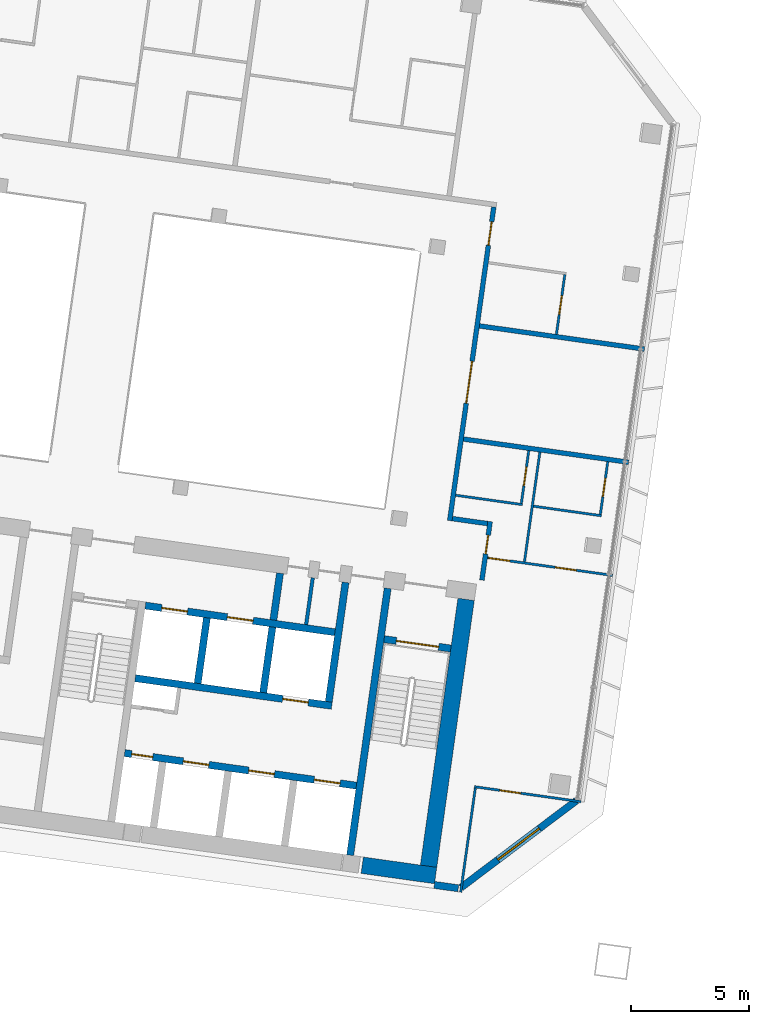
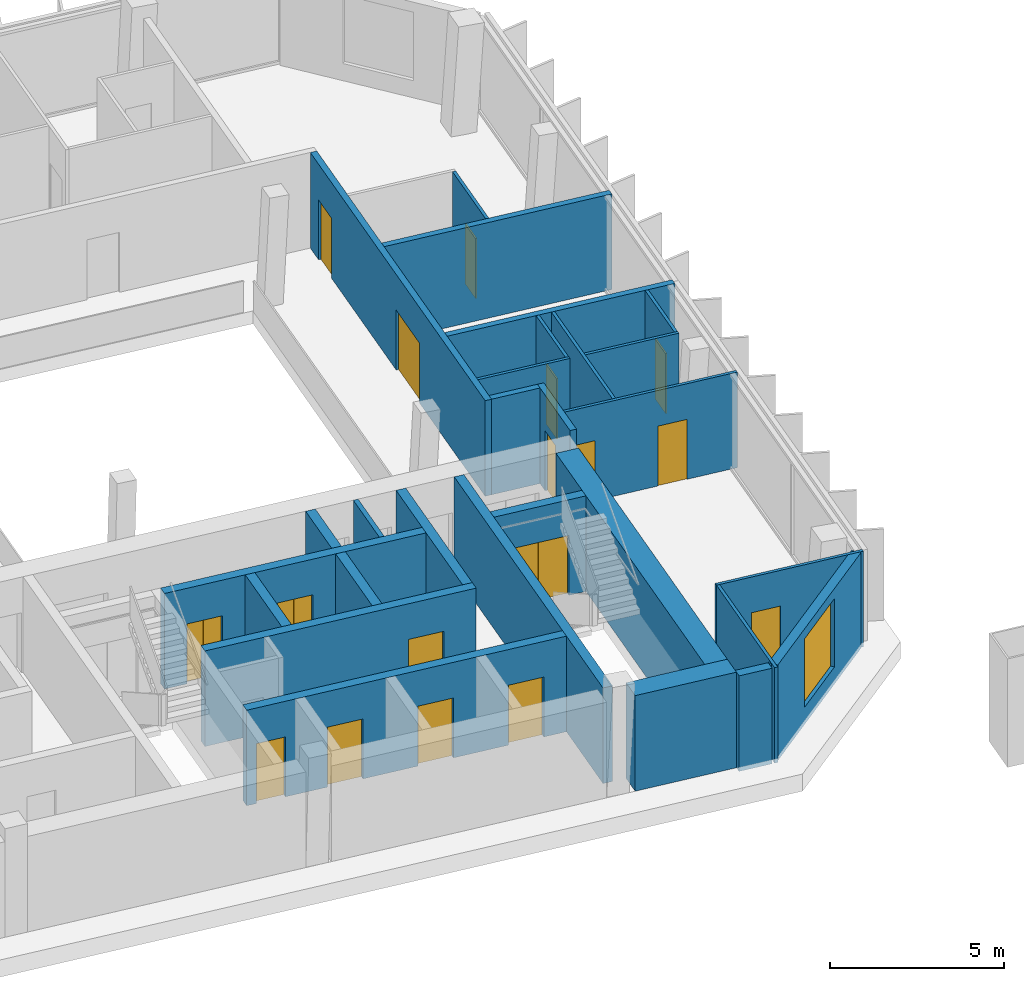
# One storey, part 14 of 23: 28 walls, 17 doors, 1 window, 18 openings.
"""IFC4 building model written with IfcOpenShell, lengths in metres."""

from ifc_helpers import new_model, si_unit, direction, frame, frame_2d, origin, place, context, subcontext, project, spatial, rectangle, extrude, material, layer, layer_set, type_object, element, fill, save


model = new_model("IFC4")

# Units and contexts
model_context = context("Model", 3, precision=1e-05, world=origin(), true_north=direction((0.0, 1.0)))
body_context = subcontext(model_context, "Body", "Model", "MODEL_VIEW")
ifc_project = project(units=[si_unit("LENGTHUNIT", "METRE"), si_unit("AREAUNIT", "SQUARE_METRE"), si_unit("VOLUMEUNIT", "CUBIC_METRE"), si_unit("PLANEANGLEUNIT", "RADIAN"), si_unit("MASSUNIT", "GRAM", prefix="KILO")], contexts=[model_context])

# Site, building, storey
site_placement = place(None, origin())
site = spatial("IfcSite", under=ifc_project, at=site_placement, CompositionType="ELEMENT")
building_placement = place(site_placement, origin())
building = spatial("IfcBuilding", under=site, at=building_placement, Name="Mirante Cascada Hotel Towers", CompositionType="ELEMENT")
storey_placement = place(building_placement, frame((0.0, 0.0, 180.2)))
storey = spatial("IfcBuildingStorey", under=building, at=storey_placement, Name="L42", CompositionType="ELEMENT", Elevation=180.2)

# Walls
ifc_material_1 = material(Name="Fire-rated plasterboard on metal studs")
ifc_layer_1 = layer(ifc_material_1, 0.2)
ifc_layer_set_1 = layer_set([ifc_layer_1], Name="Compartment wall 200 EI 120")
wall_type_1 = type_object("IfcWallType", Name="Compartment wall 200 EI 120", PredefinedType="PARTITIONING", material=ifc_layer_set_1)
wall_1_placement = place(storey_placement, frame((-35.0284, -4.7267, 0.0), z_axis=(0.0, 0.0, 1.0), x_axis=(-0.9902735, 0.1391343, 0.0)))
element("IfcWall", 1, at=wall_1_placement, inside=storey, type_object=wall_type_1, Name="Wall 1-L42-03", PredefinedType="PARTITIONING", context=body_context, shape_type="SweptSolid", body=[
    extrude(rectangle(XDim=1.5, YDim=0.2, at=frame_2d((0.75, 0.0))), origin(), (0.0, 0.0, 1.0), 3.35),
])
for number, where, z_axis, x_axis, name in (
    (2, (-36.0406, -1.151, 0.0), (0.0, 0.0, 1.0), (0.9902679, -0.1391744, 0.0), "Wall 1-L42-06"),
    (3, (-28.3886, 2.6543, 0.0), (0.0, 0.0, 1.0), (-0.9902679, 0.1391744, 0.0), "Wall 1-L42-07"),
):
    element("IfcWall", number, at=place(storey_placement, frame(where, z_axis=z_axis, x_axis=x_axis)), inside=storey, type_object=wall_type_1, Name=name, PredefinedType="PARTITIONING", context=body_context, shape_type="SweptSolid", body=[
        extrude(rectangle(XDim=7.048, YDim=0.2, at=frame_2d((3.524, 0.0))), origin(), (0.0, 0.0, 1.0), 3.35),
    ])

# Wall, opening, door
wall_2_placement = place(storey_placement, frame((-34.9155, -4.6416, 0.0), z_axis=(0.0, 0.0, 1.0), x_axis=(-0.1391586, -0.9902701, 0.0)))
wall_2 = element("IfcWall", 4, at=wall_2_placement, inside=storey, type_object=wall_type_1, Name="Wall 1-L42-26", PredefinedType="PARTITIONING", context=body_context, shape_type="SweptSolid", body=[
    extrude(rectangle(XDim=2.5, YDim=0.2, at=frame_2d((1.25, 0.0))), origin(), (0.0, 0.0, 1.0), 3.35),
])
opening_1_placement = place(wall_2_placement, frame((0.5833, 0.0, 0.0)))
opening_1 = element("IfcOpeningElement", 5, at=opening_1_placement, cuts=wall_2, Name="Opening D1-L42-21", PredefinedType="OPENING", context=body_context, shape_type="SweptSolid", body=[
    extrude(rectangle(XDim=0.8, YDim=2.1, at=frame_2d((0.4, 1.05))), frame((0.0, 0.1, 0.0), z_axis=(0.0, -1.0, 0.0), x_axis=(1.0, 0.0, 0.0)), (0.0, 0.0, 1.0), 0.2),
])
ifc_material_2 = material(Name="Fire-rated timber door leaf", Category="wood")
door_type_1 = type_object("IfcDoorType", Name="Bathroom door DG4 800x2100 EI 60", OperationType="SINGLE_SWING_LEFT", PredefinedType="DOOR", material=ifc_material_2)
door_1_placement = place(opening_1_placement, frame((0.8, 0.0, 0.0), z_axis=(0.0, 0.0, 1.0), x_axis=(-1.0, 0.0, 0.0)))
door_1 = element("IfcDoor", 6, at=door_1_placement, inside=storey, type_object=door_type_1, Name="Door D1-L42-21", OperationType="SINGLE_SWING_RIGHT", OverallHeight=2.1, OverallWidth=0.8, PredefinedType="DOOR", context=body_context, shape_type="SweptSolid", body=[
    extrude(rectangle(XDim=0.8, YDim=2.1, at=frame_2d((0.4, 1.05))), frame((0.0, 0.025, 0.0), z_axis=(0.0, -1.0, 0.0), x_axis=(1.0, 0.0, 0.0)), (0.0, 0.0, 1.0), 0.05),
])
fill(opening_1, door_1)

# Wall, openings, doors
wall_3_placement = place(storey_placement, frame((-36.6268, -4.6031, 0.0), z_axis=(0.0, 0.0, 1.0), x_axis=(0.1391789, 0.9902673, 0.0)))
wall_3 = element("IfcWall", 7, at=wall_3_placement, inside=storey, type_object=wall_type_1, Name="Wall 1-L42-27", PredefinedType="PARTITIONING", context=body_context, shape_type="SweptSolid", body=[
    extrude(rectangle(XDim=13.4, YDim=0.2, at=frame_2d((6.7, 0.0))), origin(), (0.0, 0.0, 1.0), 3.35),
])
opening_2_placement = place(wall_3_placement, frame((5.0167, 0.0, 0.0)))
opening_2 = element("IfcOpeningElement", 8, at=opening_2_placement, cuts=wall_3, Name="Opening D1-L42-22", PredefinedType="OPENING", context=body_context, shape_type="SweptSolid", body=[
    extrude(rectangle(XDim=1.8, YDim=2.1, at=frame_2d((0.9, 1.05))), frame((0.0, 0.1, 0.0), z_axis=(0.0, -1.0, 0.0), x_axis=(1.0, 0.0, 0.0)), (0.0, 0.0, 1.0), 0.2),
])
opening_3_placement = place(wall_3_placement, frame((11.7667, 0.0, 0.0)))
opening_3 = element("IfcOpeningElement", 9, at=opening_3_placement, cuts=wall_3, Name="Opening D1-L42-23", PredefinedType="OPENING", context=body_context, shape_type="SweptSolid", body=[
    extrude(rectangle(XDim=1.0, YDim=2.1, at=frame_2d((0.5, 1.05))), frame((0.0, 0.1, 0.0), z_axis=(0.0, -1.0, 0.0), x_axis=(1.0, 0.0, 0.0)), (0.0, 0.0, 1.0), 0.2),
])
ifc_material_3 = material(Name="Fire-rated timber door leaf", Category="wood")
door_type_2 = type_object("IfcDoorType", Name="Entrance door DG1 1000x2100 EI 60", OperationType="SINGLE_SWING_LEFT", PredefinedType="DOOR", material=ifc_material_3)
door_2_placement = place(opening_3_placement, frame((1.0, 0.0, 0.0), z_axis=(0.0, 0.0, 1.0), x_axis=(-1.0, 0.0, 0.0)))
door_2 = element("IfcDoor", 10, at=door_2_placement, inside=storey, type_object=door_type_2, Name="Door D1-L42-23", OperationType="SINGLE_SWING_RIGHT", OverallHeight=2.1, OverallWidth=1.0, PredefinedType="DOOR", context=body_context, shape_type="SweptSolid", body=[
    extrude(rectangle(XDim=1.0, YDim=2.1, at=frame_2d((0.5, 1.05))), frame((0.0, 0.025, 0.0), z_axis=(0.0, -1.0, 0.0), x_axis=(1.0, 0.0, 0.0)), (0.0, 0.0, 1.0), 0.05),
])
fill(opening_3, door_2)
ifc_material_4 = material(Name="Fire-rated timber door leaf", Category="wood")
door_type_3 = type_object("IfcDoorType", Name="Suite double door DG2 1800x2100 EI 60", OperationType="DOUBLE_DOOR_SINGLE_SWING", PredefinedType="DOOR", material=ifc_material_4)
door_3_placement = place(opening_2_placement, origin())
door_3 = element("IfcDoor", 11, at=door_3_placement, inside=storey, type_object=door_type_3, Name="Door D1-L42-22", OperationType="DOUBLE_DOOR_SINGLE_SWING", OverallHeight=2.1, OverallWidth=1.8, PredefinedType="DOOR", context=body_context, shape_type="SweptSolid", body=[
    extrude(rectangle(XDim=0.895, YDim=2.1, at=frame_2d((0.4475, 1.05))), frame((0.0, 0.025, 0.0), z_axis=(0.0, -1.0, 0.0), x_axis=(1.0, 0.0, 0.0)), (0.0, 0.0, 1.0), 0.05),
    extrude(rectangle(XDim=0.895, YDim=2.1, at=frame_2d((1.3525, 1.05))), frame((0.0, 0.025, 0.0), z_axis=(0.0, -1.0, 0.0), x_axis=(1.0, 0.0, 0.0)), (0.0, 0.0, 1.0), 0.05),
])
fill(opening_2, door_3)

# Walls
ifc_material_5 = material(Name="Masonry block", Category="masonry")
ifc_layer_2 = layer(ifc_material_5, 0.15)
ifc_layer_set_2 = layer_set([ifc_layer_2], Name="Core room partition 150 block EI 30")
wall_type_2 = type_object("IfcWallType", Name="Core room partition 150 block EI 30", PredefinedType="PARTITIONING", material=ifc_layer_set_2)
wall_4_placement = place(storey_placement, frame((-42.6979, -9.0009, 0.0), z_axis=(0.0, 0.0, 1.0), x_axis=(0.1391529, 0.9902709, 0.0)))
element("IfcWall", 12, at=wall_4_placement, inside=storey, type_object=wall_type_2, Name="Core wall partition T1 L42 4", PredefinedType="PARTITIONING", context=body_context, shape_type="SweptSolid", body=[
    extrude(rectangle(XDim=2.0, YDim=0.15, at=frame_2d((1.0, 0.0))), origin(), (0.0, 0.0, 1.0), 3.35),
])
ifc_material_6 = material(Name="Masonry block", Category="masonry")
ifc_layer_3 = layer(ifc_material_6, 0.3)
ifc_layer_set_3 = layer_set([ifc_layer_3], Name="Core wall 300 block EI 120")
wall_type_3 = type_object("IfcWallType", Name="Core wall 300 block EI 120", PredefinedType="PARTITIONING", material=ifc_layer_set_3)
wall_5_placement = place(storey_placement, frame((-44.0843, -8.8061, 0.0), z_axis=(0.0, 0.0, 1.0), x_axis=(0.1391951, 0.990265, 0.0)))
element("IfcWall", 13, at=wall_5_placement, inside=storey, type_object=wall_type_3, Name="Core wall partition T1 L42 1", PredefinedType="PARTITIONING", context=body_context, shape_type="SweptSolid", body=[
    extrude(rectangle(XDim=2.0001, YDim=0.3, at=frame_2d((1.0001, 0.0))), origin(), (0.0, 0.0, 1.0), 3.35),
])

# Wall, opening, door
ifc_material_7 = material(Name="Plasterboard on metal studs")
ifc_layer_4 = layer(ifc_material_7, 0.1)
ifc_layer_set_4 = layer_set([ifc_layer_4], Name="Partition 100")
wall_type_4 = type_object("IfcWallType", Name="Partition 100", PredefinedType="PARTITIONING", material=ifc_layer_set_4)
wall_6_placement = place(storey_placement, frame((-31.0792, -16.4908, 0.0), z_axis=(0.0, 0.0, 1.0), x_axis=(-0.9902695, 0.1391626, 0.0)))
wall_6 = element("IfcWall", 14, at=wall_6_placement, inside=storey, type_object=wall_type_4, Name="Wall 1-L42-01", PredefinedType="PARTITIONING", context=body_context, shape_type="SweptSolid", body=[
    extrude(rectangle(XDim=4.5501, YDim=0.1, at=frame_2d((2.275, 0.0))), origin(), (0.0, 0.0, 1.0), 3.35),
])
opening_4_placement = place(wall_6_placement, frame((2.5692, 0.0, 0.0)))
opening_4 = element("IfcOpeningElement", 15, at=opening_4_placement, cuts=wall_6, Name="Opening D1-L42-01", PredefinedType="OPENING", context=body_context, shape_type="SweptSolid", body=[
    extrude(rectangle(XDim=0.9, YDim=2.1, at=frame_2d((0.45, 1.05))), frame((0.0, 0.05, 0.0), z_axis=(0.0, -1.0, 0.0), x_axis=(1.0, 0.0, 0.0)), (0.0, 0.0, 1.0), 0.1),
])
ifc_material_8 = material(Name="Timber door leaf", Category="wood")
door_type_4 = type_object("IfcDoorType", Name="Room door DG3 900x2100", OperationType="SINGLE_SWING_LEFT", PredefinedType="DOOR", material=ifc_material_8)
door_4_placement = place(opening_4_placement, frame((0.9, 0.0, 0.0), z_axis=(0.0, 0.0, 1.0), x_axis=(-1.0, 0.0, 0.0)))
door_4 = element("IfcDoor", 16, at=door_4_placement, inside=storey, type_object=door_type_4, Name="Door D1-L42-01", OperationType="SINGLE_SWING_RIGHT", OverallHeight=2.1, OverallWidth=0.9, PredefinedType="DOOR", context=body_context, shape_type="SweptSolid", body=[
    extrude(rectangle(XDim=0.9, YDim=2.1, at=frame_2d((0.45, 1.05))), frame((0.0, 0.025, 0.0), z_axis=(0.0, -1.0, 0.0), x_axis=(1.0, 0.0, 0.0)), (0.0, 0.0, 1.0), 0.05),
])
fill(opening_4, door_4)

# Wall, openings, doors
wall_7_placement = place(storey_placement, frame((-35.0298, -6.1739, 0.0), z_axis=(0.0, 0.0, 1.0), x_axis=(0.9902678, -0.1391749, 0.0)))
wall_7 = element("IfcWall", 17, at=wall_7_placement, inside=storey, type_object=wall_type_4, Name="Wall 1-L42-02", PredefinedType="PARTITIONING", context=body_context, shape_type="SweptSolid", body=[
    extrude(rectangle(XDim=5.3479, YDim=0.1, at=frame_2d((2.674, 0.0))), origin(), (0.0, 0.0, 1.0), 3.35),
])
opening_5_placement = place(wall_7_placement, frame((2.898, 0.0, 0.0)))
opening_5 = element("IfcOpeningElement", 18, at=opening_5_placement, cuts=wall_7, Name="Opening D1-L42-02", PredefinedType="OPENING", context=body_context, shape_type="SweptSolid", body=[
    extrude(rectangle(XDim=0.9, YDim=2.1, at=frame_2d((0.45, 1.05))), frame((0.0, 0.05, 0.0), z_axis=(0.0, -1.0, 0.0), x_axis=(1.0, 0.0, 0.0)), (0.0, 0.0, 1.0), 0.1),
])
opening_6_placement = place(wall_7_placement, frame((0.05, 0.0, 0.0)))
opening_6 = element("IfcOpeningElement", 19, at=opening_6_placement, cuts=wall_7, Name="Opening D1-L42-03", PredefinedType="OPENING", context=body_context, shape_type="SweptSolid", body=[
    extrude(rectangle(XDim=0.9, YDim=2.1, at=frame_2d((0.45, 1.05))), frame((0.0, 0.05, 0.0), z_axis=(0.0, -1.0, 0.0), x_axis=(1.0, 0.0, 0.0)), (0.0, 0.0, 1.0), 0.1),
])
door_5_placement = place(opening_5_placement, frame((0.9, 0.0, 0.0), z_axis=(0.0, 0.0, 1.0), x_axis=(-1.0, 0.0, 0.0)))
door_5 = element("IfcDoor", 20, at=door_5_placement, inside=storey, type_object=door_type_4, Name="Door D1-L42-02", OperationType="SINGLE_SWING_RIGHT", OverallHeight=2.1, OverallWidth=0.9, PredefinedType="DOOR", context=body_context, shape_type="SweptSolid", body=[
    extrude(rectangle(XDim=0.9, YDim=2.1, at=frame_2d((0.45, 1.05))), frame((0.0, 0.025, 0.0), z_axis=(0.0, -1.0, 0.0), x_axis=(1.0, 0.0, 0.0)), (0.0, 0.0, 1.0), 0.05),
])
fill(opening_5, door_5)
door_6_placement = place(opening_6_placement, frame((0.9, 0.0, 0.0), z_axis=(0.0, 0.0, 1.0), x_axis=(-1.0, 0.0, 0.0)))
door_6 = element("IfcDoor", 21, at=door_6_placement, inside=storey, type_object=door_type_4, Name="Door D1-L42-03", OperationType="SINGLE_SWING_RIGHT", OverallHeight=2.1, OverallWidth=0.9, PredefinedType="DOOR", context=body_context, shape_type="SweptSolid", body=[
    extrude(rectangle(XDim=0.9, YDim=2.1, at=frame_2d((0.45, 1.05))), frame((0.0, 0.025, 0.0), z_axis=(0.0, -1.0, 0.0), x_axis=(1.0, 0.0, 0.0)), (0.0, 0.0, 1.0), 0.05),
])
fill(opening_6, door_6)

# Walls
wall_8_placement = place(storey_placement, frame((-33.083, -3.9903, 0.0), z_axis=(0.0, 0.0, 1.0), x_axis=(0.9902683, -0.1391714, 0.0)))
element("IfcWall", 22, at=wall_8_placement, inside=storey, type_object=wall_type_4, Name="Wall 1-L42-04", PredefinedType="PARTITIONING", context=body_context, shape_type="SweptSolid", body=[
    extrude(rectangle(XDim=2.9, YDim=0.1, at=frame_2d((1.45, 0.0))), origin(), (0.0, 0.0, 1.0), 3.35),
])
wall_9_placement = place(storey_placement, frame((-33.5524, -3.9243, 0.0), z_axis=(0.0, 0.0, 1.0), x_axis=(-0.9902704, 0.1391564, 0.0)))
element("IfcWall", 23, at=wall_9_placement, inside=storey, type_object=wall_type_4, Name="Wall 1-L42-05", PredefinedType="PARTITIONING", context=body_context, shape_type="SweptSolid", body=[
    extrude(rectangle(XDim=2.85, YDim=0.1, at=frame_2d((1.425, 0.0))), origin(), (0.0, 0.0, 1.0), 3.35),
])

# Wall, opening, door
wall_10_placement = place(storey_placement, frame((-30.2538, -4.3374, 0.0), z_axis=(0.0, 0.0, 1.0), x_axis=(0.1391997, 0.9902643, 0.0)))
wall_10 = element("IfcWall", 24, at=wall_10_placement, inside=storey, type_object=wall_type_4, Name="Wall 1-L42-21", PredefinedType="PARTITIONING", context=body_context, shape_type="SweptSolid", body=[
    extrude(rectangle(XDim=2.25, YDim=0.1, at=frame_2d((1.125, 0.0))), origin(), (0.0, 0.0, 1.0), 3.35),
])
opening_7_placement = place(wall_10_placement, frame((0.75, 0.0, 0.0)))
opening_7 = element("IfcOpeningElement", 25, at=opening_7_placement, cuts=wall_10, Name="Opening D1-L42-18", PredefinedType="OPENING", context=body_context, shape_type="SweptSolid", body=[
    extrude(rectangle(XDim=0.8, YDim=2.1, at=frame_2d((0.4, 1.05))), frame((0.0, 0.05, 0.0), z_axis=(0.0, -1.0, 0.0), x_axis=(1.0, 0.0, 0.0)), (0.0, 0.0, 1.0), 0.1),
])
ifc_material_9 = material(Name="Timber door leaf", Category="wood")
door_type_5 = type_object("IfcDoorType", Name="Bathroom door DG4 800x2100", OperationType="SINGLE_SWING_LEFT", PredefinedType="DOOR", material=ifc_material_9)
door_7_placement = place(opening_7_placement, origin())
door_7 = element("IfcDoor", 26, at=door_7_placement, inside=storey, type_object=door_type_5, Name="Door D1-L42-18", OperationType="SINGLE_SWING_LEFT", OverallHeight=2.1, OverallWidth=0.8, PredefinedType="DOOR", context=body_context, shape_type="SweptSolid", body=[
    extrude(rectangle(XDim=0.8, YDim=2.1, at=frame_2d((0.4, 1.05))), frame((0.0, 0.025, 0.0), z_axis=(0.0, -1.0, 0.0), x_axis=(1.0, 0.0, 0.0)), (0.0, 0.0, 1.0), 0.05),
])
fill(opening_7, door_7)

# Wall
wall_11_placement = place(storey_placement, frame((-32.8124, -1.7057, 0.0), z_axis=(0.0, 0.0, 1.0), x_axis=(-0.139176, -0.9902677, 0.0)))
element("IfcWall", 27, at=wall_11_placement, inside=storey, type_object=wall_type_4, Name="Wall 1-L42-22", PredefinedType="PARTITIONING", context=body_context, shape_type="SweptSolid", body=[
    extrude(rectangle(XDim=4.6833, YDim=0.1, at=frame_2d((2.3416, 0.0))), origin(), (0.0, 0.0, 1.0), 3.35),
])

# Wall, opening, door
wall_12_placement = place(storey_placement, frame((-32.1119, 3.2786, 0.0), z_axis=(0.0, 0.0, 1.0), x_axis=(0.1391755, 0.9902677, 0.0)))
wall_12 = element("IfcWall", 28, at=wall_12_placement, inside=storey, type_object=wall_type_4, Name="Wall 1-L42-23", PredefinedType="PARTITIONING", context=body_context, shape_type="SweptSolid", body=[
    extrude(rectangle(XDim=2.55, YDim=0.1, at=frame_2d((1.275, 0.0))), origin(), (0.0, 0.0, 1.0), 3.35),
])
opening_8_placement = place(wall_12_placement, frame((0.85, 0.0, 0.0)))
opening_8 = element("IfcOpeningElement", 29, at=opening_8_placement, cuts=wall_12, Name="Opening D1-L42-19", PredefinedType="OPENING", context=body_context, shape_type="SweptSolid", body=[
    extrude(rectangle(XDim=0.8, YDim=2.1, at=frame_2d((0.4, 1.05))), frame((0.0, 0.05, 0.0), z_axis=(0.0, -1.0, 0.0), x_axis=(1.0, 0.0, 0.0)), (0.0, 0.0, 1.0), 0.1),
])
door_8_placement = place(opening_8_placement, origin())
door_8 = element("IfcDoor", 30, at=door_8_placement, inside=storey, type_object=door_type_5, Name="Door D1-L42-19", OperationType="SINGLE_SWING_LEFT", OverallHeight=2.1, OverallWidth=0.8, PredefinedType="DOOR", context=body_context, shape_type="SweptSolid", body=[
    extrude(rectangle(XDim=0.8, YDim=2.1, at=frame_2d((0.4, 1.05))), frame((0.0, 0.025, 0.0), z_axis=(0.0, -1.0, 0.0), x_axis=(1.0, 0.0, 0.0)), (0.0, 0.0, 1.0), 0.05),
])
fill(opening_8, door_8)

wall_13_placement = place(storey_placement, frame((-33.2818, -1.6398, 0.0), z_axis=(0.0, 0.0, 1.0), x_axis=(-0.1391561, -0.9902705, 0.0)))
wall_13 = element("IfcWall", 31, at=wall_13_placement, inside=storey, type_object=wall_type_4, Name="Wall 1-L42-24", PredefinedType="PARTITIONING", context=body_context, shape_type="SweptSolid", body=[
    extrude(rectangle(XDim=2.25, YDim=0.1, at=frame_2d((1.125, 0.0))), origin(), (0.0, 0.0, 1.0), 3.35),
])
opening_9_placement = place(wall_13_placement, frame((0.7, 0.0, 0.0)))
opening_9 = element("IfcOpeningElement", 32, at=opening_9_placement, cuts=wall_13, Name="Opening D1-L42-20", PredefinedType="OPENING", context=body_context, shape_type="SweptSolid", body=[
    extrude(rectangle(XDim=0.8, YDim=2.1, at=frame_2d((0.4, 1.05))), frame((0.0, 0.05, 0.0), z_axis=(0.0, -1.0, 0.0), x_axis=(1.0, 0.0, 0.0)), (0.0, 0.0, 1.0), 0.1),
])
door_9_placement = place(opening_9_placement, frame((0.8, 0.0, 0.0), z_axis=(0.0, 0.0, 1.0), x_axis=(-1.0, 0.0, 0.0)))
door_9 = element("IfcDoor", 33, at=door_9_placement, inside=storey, type_object=door_type_5, Name="Door D1-L42-20", OperationType="SINGLE_SWING_RIGHT", OverallHeight=2.1, OverallWidth=0.8, PredefinedType="DOOR", context=body_context, shape_type="SweptSolid", body=[
    extrude(rectangle(XDim=0.8, YDim=2.1, at=frame_2d((0.4, 1.05))), frame((0.0, 0.025, 0.0), z_axis=(0.0, -1.0, 0.0), x_axis=(1.0, 0.0, 0.0)), (0.0, 0.0, 1.0), 0.05),
])
fill(opening_9, door_9)

# Walls
wall_14_placement = place(storey_placement, frame((-36.1617, -20.3208, 0.0), z_axis=(0.0, 0.0, 1.0), x_axis=(0.1391684, 0.9902687, 0.0)))
element("IfcWall", 34, at=wall_14_placement, inside=storey, type_object=wall_type_4, Name="Wall 1-L42-25", PredefinedType="PARTITIONING", context=body_context, shape_type="SweptSolid", body=[
    extrude(rectangle(XDim=4.45, YDim=0.1, at=frame_2d((2.225, 0.0))), origin(), (0.0, 0.0, 1.0), 3.35),
])
ifc_material_10 = material(Name="Precast concrete C40/50", Category="concrete")
ifc_layer_5 = layer(ifc_material_10, 0.3)
ifc_layer_set_5 = layer_set([ifc_layer_5], Name="Precast concrete C40/50 cladding wall 300")
wall_type_5 = type_object("IfcWallType", Name="Precast concrete C40/50 cladding wall 300", PredefinedType="STANDARD", material=ifc_layer_set_5)
wall_15_placement = place(storey_placement, frame((-36.2637, -20.1549, 0.0), z_axis=(0.0, 0.0, 1.0), x_axis=(-0.9902692, 0.1391651, 0.0)))
element("IfcWall", 35, at=wall_15_placement, inside=storey, type_object=wall_type_5, Name="Rear cladding wall T1 L42 1", PredefinedType="STANDARD", context=body_context, shape_type="SweptSolid", body=[
    extrude(rectangle(XDim=1.024, YDim=0.3, at=frame_2d((0.512, 0.0))), origin(), (0.0, 0.0, 1.0), 3.35),
])

# Wall, opening, window
wall_16_placement = place(storey_placement, frame((-31.2686, -16.4457, 0.0), z_axis=(0.0, 0.0, 1.0), x_axis=(-0.7986283, -0.6018245, 0.0)))
wall_16 = element("IfcWall", 36, at=wall_16_placement, inside=storey, type_object=wall_type_5, Name="Corner cladding wall T1 L42 inner rear", PredefinedType="STANDARD", context=body_context, shape_type="SweptSolid", body=[
    extrude(rectangle(XDim=6.1157, YDim=0.3, at=frame_2d((3.0578, 0.0))), origin(), (0.0, 0.0, 1.0), 3.35),
])
opening_10_placement = place(wall_16_placement, frame((1.9578, 0.0, 0.6)))
opening_10 = element("IfcOpeningElement", 37, at=opening_10_placement, cuts=wall_16, Name="Opening W1-42-04", PredefinedType="OPENING", context=body_context, shape_type="SweptSolid", body=[
    extrude(rectangle(XDim=2.2, YDim=2.4, at=frame_2d((1.1, 1.2))), frame((0.0, 0.15, 0.0), z_axis=(0.0, -1.0, 0.0), x_axis=(1.0, 0.0, 0.0)), (0.0, 0.0, 1.0), 0.3),
])
ifc_material_11 = material(Name="Aluminium frame with clear double glazing", Category="aluminium")
window_type = type_object("IfcWindowType", Name="Corner suite window 2200x2400", PartitioningType="DOUBLE_PANEL_VERTICAL", PredefinedType="WINDOW", material=ifc_material_11)
window_placement = place(opening_10_placement, origin())
window = element("IfcWindow", 38, at=window_placement, inside=storey, type_object=window_type, Name="Window W1-42-04", OverallHeight=2.4, OverallWidth=2.2, PartitioningType="SINGLE_PANEL", PredefinedType="WINDOW", context=body_context, shape_type="SweptSolid", body=[
    extrude(rectangle(XDim=2.2, YDim=2.4, at=frame_2d((1.1, 1.2))), frame((0.0, 0.03, 0.0), z_axis=(0.0, -1.0, 0.0), x_axis=(1.0, 0.0, 0.0)), (0.0, 0.0, 1.0), 0.06),
])
fill(opening_10, window)

# Wall
ifc_material_12 = material(Name="Concrete C50/60", Category="concrete")
ifc_layer_6 = layer(ifc_material_12, 0.3)
ifc_layer_set_6 = layer_set([ifc_layer_6], Name="RC core wall 300 C50/60")
wall_type_6 = type_object("IfcWallType", Name="RC core wall 300 C50/60", PredefinedType="SHEAR", material=ifc_layer_set_6)
wall_17_placement = place(storey_placement, frame((-40.8373, -18.7548, 0.0), z_axis=(0.0, 0.0, 1.0), x_axis=(0.1391749, 0.9902678, 0.0)))
element("IfcWall", 39, at=wall_17_placement, inside=storey, type_object=wall_type_6, Name="Core wall T1:L42:5", PredefinedType="SHEAR", context=body_context, shape_type="SweptSolid", body=[
    extrude(rectangle(XDim=11.4, YDim=0.3, at=frame_2d((5.7, 0.0))), origin(), (0.0, 0.0, 1.0), 3.35),
])

# Wall, opening, door
wall_18_placement = place(storey_placement, frame((-36.5791, -10.0123, 0.0), z_axis=(0.0, 0.0, 1.0), x_axis=(-0.9902704, 0.1391564, 0.0)))
wall_18 = element("IfcWall", 40, at=wall_18_placement, inside=storey, type_object=wall_type_6, Name="Core wall T1:L42:8", PredefinedType="SHEAR", context=body_context, shape_type="SweptSolid", body=[
    extrude(rectangle(XDim=2.85, YDim=0.3, at=frame_2d((1.425, 0.0))), origin(), (0.0, 0.0, 1.0), 3.35),
])
opening_11_placement = place(wall_18_placement, frame((0.525, 0.0, 0.0)))
opening_11 = element("IfcOpeningElement", 41, at=opening_11_placement, cuts=wall_18, Name="Opening D1-42-C07", PredefinedType="OPENING", context=body_context, shape_type="SweptSolid", body=[
    extrude(rectangle(XDim=1.8, YDim=2.1, at=frame_2d((0.9, 1.05))), frame((0.0, 0.15, 0.0), z_axis=(0.0, -1.0, 0.0), x_axis=(1.0, 0.0, 0.0)), (0.0, 0.0, 1.0), 0.3),
])
ifc_material_13 = material(Name="Hollow metal fire door leaf")
door_type_6 = type_object("IfcDoorType", Name="Double fire door 1800x2100 FD60", OperationType="DOUBLE_DOOR_SINGLE_SWING", PredefinedType="DOOR", material=ifc_material_13)
door_10_placement = place(opening_11_placement, origin())
door_10 = element("IfcDoor", 42, at=door_10_placement, inside=storey, type_object=door_type_6, Name="Stair door T1 L42 7", OperationType="DOUBLE_DOOR_SINGLE_SWING", OverallHeight=2.1, OverallWidth=1.8, PredefinedType="DOOR", context=body_context, shape_type="SweptSolid", body=[
    extrude(rectangle(XDim=0.895, YDim=2.1, at=frame_2d((0.4475, 1.05))), frame((0.0, 0.025, 0.0), z_axis=(0.0, -1.0, 0.0), x_axis=(1.0, 0.0, 0.0)), (0.0, 0.0, 1.0), 0.05),
    extrude(rectangle(XDim=0.895, YDim=2.1, at=frame_2d((1.3525, 1.05))), frame((0.0, 0.025, 0.0), z_axis=(0.0, -1.0, 0.0), x_axis=(1.0, 0.0, 0.0)), (0.0, 0.0, 1.0), 0.05),
])
fill(opening_11, door_10)

# Wall, openings, doors
wall_19_placement = place(storey_placement, frame((-40.5753, -15.8126, 0.0), z_axis=(0.0, 0.0, 1.0), x_axis=(-0.9902682, 0.1391725, 0.0)))
wall_19 = element("IfcWall", 43, at=wall_19_placement, inside=storey, type_object=wall_type_6, Name="Core wall T1:L42:10", PredefinedType="SHEAR", context=body_context, shape_type="SweptSolid", body=[
    extrude(rectangle(XDim=9.8999, YDim=0.3, at=frame_2d((4.95, 0.0))), origin(), (0.0, 0.0, 1.0), 3.35),
])
opening_12_placement = place(wall_19_placement, frame((0.7, 0.0, 0.0)))
opening_12 = element("IfcOpeningElement", 44, at=opening_12_placement, cuts=wall_19, Name="Opening LD", PredefinedType="OPENING", context=body_context, shape_type="SweptSolid", body=[
    extrude(rectangle(XDim=1.1, YDim=2.1, at=frame_2d((0.55, 1.05))), frame((0.0, 0.15, 0.0), z_axis=(0.0, -1.0, 0.0), x_axis=(1.0, 0.0, 0.0)), (0.0, 0.0, 1.0), 0.3),
])
opening_13_placement = place(wall_19_placement, frame((3.5, 0.0, 0.0)))
opening_13 = element("IfcOpeningElement", 45, at=opening_13_placement, cuts=wall_19, Name="Opening LD", PredefinedType="OPENING", context=body_context, shape_type="SweptSolid", body=[
    extrude(rectangle(XDim=1.1, YDim=2.1, at=frame_2d((0.55, 1.05))), frame((0.0, 0.15, 0.0), z_axis=(0.0, -1.0, 0.0), x_axis=(1.0, 0.0, 0.0)), (0.0, 0.0, 1.0), 0.3),
])
opening_14_placement = place(wall_19_placement, frame((6.3, 0.0, 0.0)))
opening_14 = element("IfcOpeningElement", 46, at=opening_14_placement, cuts=wall_19, Name="Opening LD", PredefinedType="OPENING", context=body_context, shape_type="SweptSolid", body=[
    extrude(rectangle(XDim=1.1, YDim=2.1, at=frame_2d((0.55, 1.05))), frame((0.0, 0.15, 0.0), z_axis=(0.0, -1.0, 0.0), x_axis=(1.0, 0.0, 0.0)), (0.0, 0.0, 1.0), 0.3),
])
opening_15_placement = place(wall_19_placement, frame((8.7, 0.0, 0.0)))
opening_15 = element("IfcOpeningElement", 47, at=opening_15_placement, cuts=wall_19, Name="Opening D1-42-C14", PredefinedType="OPENING", context=body_context, shape_type="SweptSolid", body=[
    extrude(rectangle(XDim=0.9, YDim=2.1, at=frame_2d((0.45, 1.05))), frame((0.0, 0.15, 0.0), z_axis=(0.0, -1.0, 0.0), x_axis=(1.0, 0.0, 0.0)), (0.0, 0.0, 1.0), 0.3),
])
ifc_material_14 = material(Name="Hollow metal fire door leaf")
door_type_7 = type_object("IfcDoorType", Name="Fire door 900x2100 FD60", OperationType="NOTDEFINED", PredefinedType="DOOR", material=ifc_material_14)
door_11_placement = place(opening_15_placement, origin())
door_11 = element("IfcDoor", 48, at=door_11_placement, inside=storey, type_object=door_type_7, Name="Riser door T1 L42 14", OperationType="SINGLE_SWING_LEFT", OverallHeight=2.1, OverallWidth=0.9, PredefinedType="DOOR", context=body_context, shape_type="SweptSolid", body=[
    extrude(rectangle(XDim=0.9, YDim=2.1, at=frame_2d((0.45, 1.05))), frame((0.0, 0.025, 0.0), z_axis=(0.0, -1.0, 0.0), x_axis=(1.0, 0.0, 0.0)), (0.0, 0.0, 1.0), 0.05),
])
fill(opening_15, door_11)
ifc_material_15 = material(Name="Stainless steel", Category="steel")
door_type_8 = type_object("IfcDoorType", Name="Lift landing door 1100x2100 EI 120", OperationType="DOUBLE_DOOR_SLIDING", PredefinedType="DOOR", material=ifc_material_15)
door_12_placement = place(opening_12_placement, origin())
door_12 = element("IfcDoor", 49, at=door_12_placement, inside=storey, type_object=door_type_8, Name="Lift landing door HR1-1 L42", OperationType="DOUBLE_DOOR_SLIDING", OverallHeight=2.1, OverallWidth=1.1, PredefinedType="DOOR", context=body_context, shape_type="SweptSolid", body=[
    extrude(rectangle(XDim=0.545, YDim=2.1, at=frame_2d((0.2725, 1.05))), frame((0.0, 0.025, 0.0), z_axis=(0.0, -1.0, 0.0), x_axis=(1.0, 0.0, 0.0)), (0.0, 0.0, 1.0), 0.05),
    extrude(rectangle(XDim=0.545, YDim=2.1, at=frame_2d((0.8275, 1.05))), frame((0.0, 0.025, 0.0), z_axis=(0.0, -1.0, 0.0), x_axis=(1.0, 0.0, 0.0)), (0.0, 0.0, 1.0), 0.05),
])
fill(opening_12, door_12)
door_13_placement = place(opening_13_placement, origin())
door_13 = element("IfcDoor", 50, at=door_13_placement, inside=storey, type_object=door_type_8, Name="Lift landing door HR1-2 L42", OperationType="DOUBLE_DOOR_SLIDING", OverallHeight=2.1, OverallWidth=1.1, PredefinedType="DOOR", context=body_context, shape_type="SweptSolid", body=[
    extrude(rectangle(XDim=0.545, YDim=2.1, at=frame_2d((0.2725, 1.05))), frame((0.0, 0.025, 0.0), z_axis=(0.0, -1.0, 0.0), x_axis=(1.0, 0.0, 0.0)), (0.0, 0.0, 1.0), 0.05),
    extrude(rectangle(XDim=0.545, YDim=2.1, at=frame_2d((0.8275, 1.05))), frame((0.0, 0.025, 0.0), z_axis=(0.0, -1.0, 0.0), x_axis=(1.0, 0.0, 0.0)), (0.0, 0.0, 1.0), 0.05),
])
fill(opening_13, door_13)
door_14_placement = place(opening_14_placement, origin())
door_14 = element("IfcDoor", 51, at=door_14_placement, inside=storey, type_object=door_type_8, Name="Lift landing door HR1-3 L42", OperationType="DOUBLE_DOOR_SLIDING", OverallHeight=2.1, OverallWidth=1.1, PredefinedType="DOOR", context=body_context, shape_type="SweptSolid", body=[
    extrude(rectangle(XDim=0.545, YDim=2.1, at=frame_2d((0.2725, 1.05))), frame((0.0, 0.025, 0.0), z_axis=(0.0, -1.0, 0.0), x_axis=(1.0, 0.0, 0.0)), (0.0, 0.0, 1.0), 0.05),
    extrude(rectangle(XDim=0.545, YDim=2.1, at=frame_2d((0.8275, 1.05))), frame((0.0, 0.025, 0.0), z_axis=(0.0, -1.0, 0.0), x_axis=(1.0, 0.0, 0.0)), (0.0, 0.0, 1.0), 0.05),
])
fill(opening_14, door_14)

# Wall, opening, door
wall_20_placement = place(storey_placement, frame((-41.6153, -12.435, 0.0), z_axis=(0.0, 0.0, 1.0), x_axis=(-0.9902691, 0.139166, 0.0)))
wall_20 = element("IfcWall", 52, at=wall_20_placement, inside=storey, type_object=wall_type_6, Name="Core wall T1:L42:11", PredefinedType="SHEAR", context=body_context, shape_type="SweptSolid", body=[
    extrude(rectangle(XDim=8.4, YDim=0.3, at=frame_2d((4.2, 0.0))), origin(), (0.0, 0.0, 1.0), 3.35),
])
opening_16_placement = place(wall_20_placement, frame((1.0, 0.0, 0.0)))
opening_16 = element("IfcOpeningElement", 53, at=opening_16_placement, cuts=wall_20, Name="Opening LD", PredefinedType="OPENING", context=body_context, shape_type="SweptSolid", body=[
    extrude(rectangle(XDim=1.1, YDim=2.1, at=frame_2d((0.55, 1.05))), frame((0.0, 0.15, 0.0), z_axis=(0.0, -1.0, 0.0), x_axis=(1.0, 0.0, 0.0)), (0.0, 0.0, 1.0), 0.3),
])
door_15_placement = place(opening_16_placement, origin())
door_15 = element("IfcDoor", 54, at=door_15_placement, inside=storey, type_object=door_type_8, Name="Lift landing door HR1-4 L42", OperationType="DOUBLE_DOOR_SLIDING", OverallHeight=2.1, OverallWidth=1.1, PredefinedType="DOOR", context=body_context, shape_type="SweptSolid", body=[
    extrude(rectangle(XDim=0.545, YDim=2.1, at=frame_2d((0.2725, 1.05))), frame((0.0, 0.025, 0.0), z_axis=(0.0, -1.0, 0.0), x_axis=(1.0, 0.0, 0.0)), (0.0, 0.0, 1.0), 0.05),
    extrude(rectangle(XDim=0.545, YDim=2.1, at=frame_2d((0.8275, 1.05))), frame((0.0, 0.025, 0.0), z_axis=(0.0, -1.0, 0.0), x_axis=(1.0, 0.0, 0.0)), (0.0, 0.0, 1.0), 0.05),
])
fill(opening_16, door_15)

# Wall, openings, doors
wall_21_placement = place(storey_placement, frame((-41.481, -9.3234, 0.0), z_axis=(0.0, 0.0, 1.0), x_axis=(-0.9902679, 0.1391741, 0.0)))
wall_21 = element("IfcWall", 55, at=wall_21_placement, inside=storey, type_object=wall_type_6, Name="Core wall T1:L42:12", PredefinedType="SHEAR", context=body_context, shape_type="SweptSolid", body=[
    extrude(rectangle(XDim=8.0999, YDim=0.3, at=frame_2d((4.05, 0.0))), origin(), (0.0, 0.0, 1.0), 3.35),
])
opening_17_placement = place(wall_21_placement, frame((3.5, 0.0, 0.0)))
opening_17 = element("IfcOpeningElement", 56, at=opening_17_placement, cuts=wall_21, Name="Opening LD", PredefinedType="OPENING", context=body_context, shape_type="SweptSolid", body=[
    extrude(rectangle(XDim=1.1, YDim=2.1, at=frame_2d((0.55, 1.05))), frame((0.0, 0.15, 0.0), z_axis=(0.0, -1.0, 0.0), x_axis=(1.0, 0.0, 0.0)), (0.0, 0.0, 1.0), 0.3),
])
opening_18_placement = place(wall_21_placement, frame((6.3, 0.0, 0.0)))
opening_18 = element("IfcOpeningElement", 57, at=opening_18_placement, cuts=wall_21, Name="Opening LD", PredefinedType="OPENING", context=body_context, shape_type="SweptSolid", body=[
    extrude(rectangle(XDim=1.1, YDim=2.1, at=frame_2d((0.55, 1.05))), frame((0.0, 0.15, 0.0), z_axis=(0.0, -1.0, 0.0), x_axis=(1.0, 0.0, 0.0)), (0.0, 0.0, 1.0), 0.3),
])
door_16_placement = place(opening_17_placement, origin())
door_16 = element("IfcDoor", 58, at=door_16_placement, inside=storey, type_object=door_type_8, Name="Lift landing door FF1 L42", OperationType="DOUBLE_DOOR_SLIDING", OverallHeight=2.1, OverallWidth=1.1, PredefinedType="DOOR", context=body_context, shape_type="SweptSolid", body=[
    extrude(rectangle(XDim=0.545, YDim=2.1, at=frame_2d((0.2725, 1.05))), frame((0.0, 0.025, 0.0), z_axis=(0.0, -1.0, 0.0), x_axis=(1.0, 0.0, 0.0)), (0.0, 0.0, 1.0), 0.05),
    extrude(rectangle(XDim=0.545, YDim=2.1, at=frame_2d((0.8275, 1.05))), frame((0.0, 0.025, 0.0), z_axis=(0.0, -1.0, 0.0), x_axis=(1.0, 0.0, 0.0)), (0.0, 0.0, 1.0), 0.05),
])
fill(opening_17, door_16)
door_17_placement = place(opening_18_placement, origin())
door_17 = element("IfcDoor", 59, at=door_17_placement, inside=storey, type_object=door_type_8, Name="Lift landing door FF2 L42", OperationType="DOUBLE_DOOR_SLIDING", OverallHeight=2.1, OverallWidth=1.1, PredefinedType="DOOR", context=body_context, shape_type="SweptSolid", body=[
    extrude(rectangle(XDim=0.545, YDim=2.1, at=frame_2d((0.2725, 1.05))), frame((0.0, 0.025, 0.0), z_axis=(0.0, -1.0, 0.0), x_axis=(1.0, 0.0, 0.0)), (0.0, 0.0, 1.0), 0.05),
    extrude(rectangle(XDim=0.545, YDim=2.1, at=frame_2d((0.8275, 1.05))), frame((0.0, 0.025, 0.0), z_axis=(0.0, -1.0, 0.0), x_axis=(1.0, 0.0, 0.0)), (0.0, 0.0, 1.0), 0.05),
])
fill(opening_18, door_17)

# Walls
for number, where, z_axis, x_axis, name in (
    (60, (-44.5157, -11.8759, 0.0), (0.0, 0.0, 1.0), (0.139181, 0.990267, 0.0), "Core wall T1:L42:16"),
    (61, (-47.2885, -11.4862, 0.0), (0.0, 0.0, 1.0), (0.139181, 0.990267, 0.0), "Core wall T1:L42:17"),
):
    element("IfcWall", number, at=place(storey_placement, frame(where, z_axis=z_axis, x_axis=x_axis)), inside=storey, type_object=wall_type_6, Name=name, PredefinedType="SHEAR", context=body_context, shape_type="SweptSolid", body=[
        extrude(rectangle(XDim=2.8, YDim=0.3, at=frame_2d((1.4, 0.0))), origin(), (0.0, 0.0, 1.0), 3.35),
    ])
wall_22_placement = place(storey_placement, frame((-41.743, -12.2656, 0.0), z_axis=(0.0, 0.0, 1.0), x_axis=(0.1391755, 0.9902677, 0.0)))
element("IfcWall", 62, at=wall_22_placement, inside=storey, type_object=wall_type_6, Name="Core wall T1:L42:18", PredefinedType="SHEAR", context=body_context, shape_type="SweptSolid", body=[
    extrude(rectangle(XDim=5.1, YDim=0.3, at=frame_2d((2.55, 0.0))), origin(), (0.0, 0.0, 1.0), 3.35),
])
ifc_material_16 = material(Name="Concrete C50/60", Category="concrete")
ifc_layer_7 = layer(ifc_material_16, 0.7)
ifc_layer_set_7 = layer_set([ifc_layer_7], Name="RC core wall 700 C50/60")
wall_type_7 = type_object("IfcWallType", Name="RC core wall 700 C50/60", PredefinedType="SHEAR", material=ifc_layer_set_7)
wall_23_placement = place(storey_placement, frame((-37.222, -19.6163, 0.0), z_axis=(0.0, 0.0, 1.0), x_axis=(-0.9902683, 0.1391713, 0.0)))
element("IfcWall", 63, at=wall_23_placement, inside=storey, type_object=wall_type_7, Name="Core wall T1:L42:1.1", PredefinedType="SHEAR", context=body_context, shape_type="SweptSolid", body=[
    extrude(rectangle(XDim=3.1364, YDim=0.7, at=frame_2d((1.5682, 0.0))), origin(), (0.0, 0.0, 1.0), 3.35),
])
wall_24_placement = place(storey_placement, frame((-37.5199, -19.221, 0.0), z_axis=(0.0, 0.0, 1.0), x_axis=(0.1391761, 0.9902677, 0.0)))
element("IfcWall", 64, at=wall_24_placement, inside=storey, type_object=wall_type_7, Name="Core wall T1:L42:3", PredefinedType="SHEAR", context=body_context, shape_type="SweptSolid", body=[
    extrude(rectangle(XDim=11.3999, YDim=0.7, at=frame_2d((5.7, 0.0))), origin(), (0.0, 0.0, 1.0), 3.35),
])

save(model, "model.ifc")
